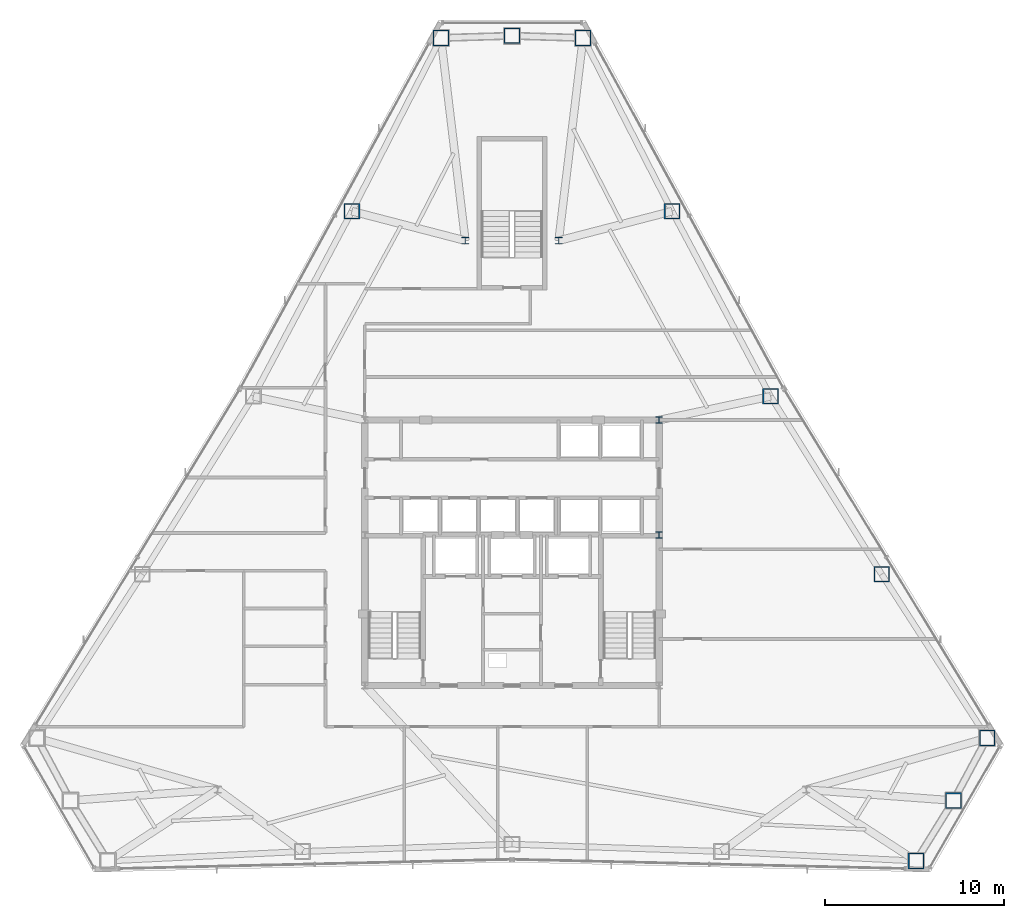
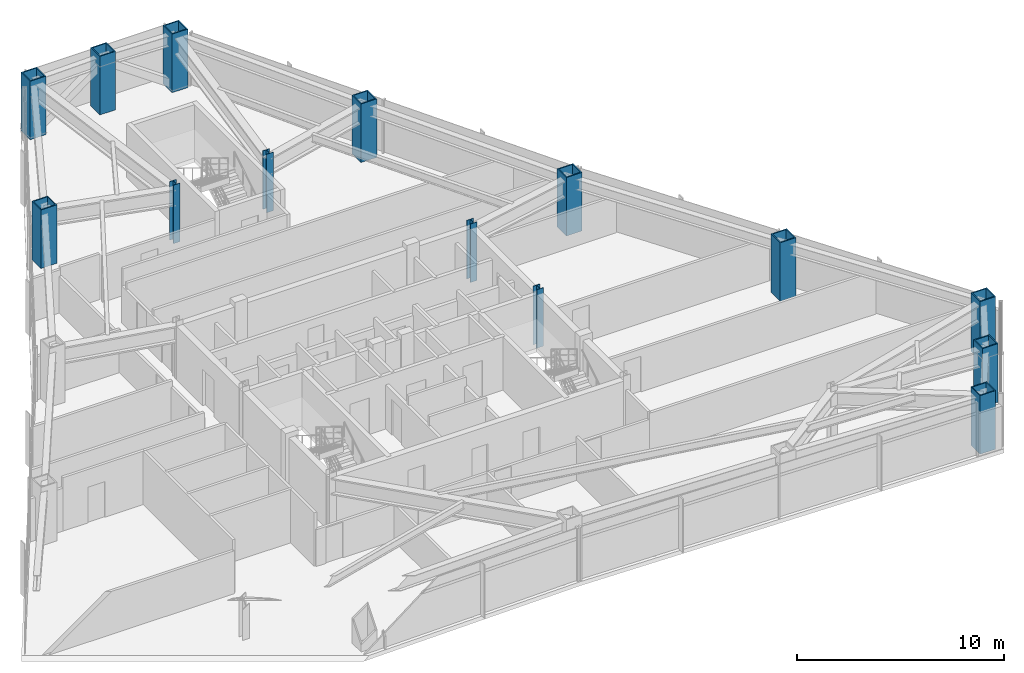
# One storey, part 2 of 12: 14 columns.
"""IFC4 building model written with IfcOpenShell, lengths in metres."""

from ifc_helpers import new_model, si_unit, direction, frame, origin, origin_2d, place, context, subcontext, project, spatial, hollow_rectangle, i_section, extrude, material, material_profile, profile_set, type_object, element, save


model = new_model("IFC4")

# Units and contexts
model_context = context("Model", 3, precision=1e-05, world=origin(), true_north=direction((0.0, 1.0)))
body_context = subcontext(model_context, "Body", "Model", "MODEL_VIEW")
ifc_project = project(units=[si_unit("LENGTHUNIT", "METRE"), si_unit("AREAUNIT", "SQUARE_METRE"), si_unit("VOLUMEUNIT", "CUBIC_METRE"), si_unit("PLANEANGLEUNIT", "RADIAN"), si_unit("MASSUNIT", "GRAM", prefix="KILO")], contexts=[model_context])

# Site, building, storey
site_placement = place(None, origin())
site = spatial("IfcSite", under=ifc_project, at=site_placement, CompositionType="ELEMENT")
building_placement = place(site_placement, origin())
building = spatial("IfcBuilding", under=site, at=building_placement, Name="Varakhsha Concourse Tower", CompositionType="ELEMENT")
storey_placement = place(building_placement, frame((0.0, 0.0, 153.949951171875)))
storey = spatial("IfcBuildingStorey", under=building, at=storey_placement, Name="L44", CompositionType="ELEMENT", Elevation=153.949951171875)

# Columns
ifc_material_1 = material(Name="Structural Steel ASTM A992 Grade 50", Category="steel")
ifc_material_profile_1 = material_profile(ifc_material_1, i_section(OverallWidth=0.3740234375, OverallDepth=0.3720703125, WebThickness=0.01611328125, FlangeThickness=0.02587890625, at=origin_2d()), Name="W14X132")
ifc_profile_set_1 = profile_set([ifc_material_profile_1], Name="Structural Steel ASTM A992 Grade 50")
column_type_1 = type_object("IfcColumnType", Name="CL-CORE-W14X132", PredefinedType="COLUMN", material=ifc_profile_set_1)
for number, where, z_axis, x_axis, name in (
    (1, (48.199951171875, 24.800048828125, 0.0), (0.0, 0.0, 1.0), (1.0, 0.0, 0.0), "L44 Core Column CC-ME"),
    (2, (48.199951171875, 31.199951171875, 0.0), (0.0, 0.0, 1.0), (1.0, 0.0, 0.0), "L44 Core Column CC-NE"),
    (3, (37.39990234375, 41.199951171875, 0.0), (0.0, 0.0, 1.0), (1.0, 0.0, 0.0), "L44 Core Column NS-W"),
    (4, (42.60009765625, 41.199951171875, 0.0), (0.0, 0.0, 1.0), (1.0, 0.0, 0.0), "L44 Core Column NS-E"),
):
    element("IfcColumn", number, at=place(storey_placement, frame(where, z_axis=z_axis, x_axis=x_axis)), inside=storey, type_object=column_type_1, Name=name, PredefinedType="COLUMN", context=body_context, shape_type="SweptSolid", body=[
        extrude(i_section(OverallWidth=0.3740234375, OverallDepth=0.3720703125, WebThickness=0.01611328125, FlangeThickness=0.02587890625, at=origin_2d()), origin(), (0.0, 0.0, 1.0), 3.449951171875),
    ])
ifc_material_2 = material(Name="Structural Steel ASTM A572 Grade 50", Category="steel")
ifc_material_profile_2 = material_profile(ifc_material_2, hollow_rectangle(XDim=0.8798828125, YDim=0.8798828125, WallThickness=0.06005859375, at=origin_2d()), Name="BOX 880x880x60")
ifc_profile_set_2 = profile_set([ifc_material_profile_2], Name="Structural Steel ASTM A572 Grade 50")
column_type_2 = type_object("IfcColumnType", Name="CL-TUBE-880", PredefinedType="COLUMN", material=ifc_profile_set_2)
for number, where, z_axis, x_axis, name in (
    (5, (43.959716796875, 52.496337890625, 0.0), (0.0, 0.0, 1.0), (1.0, 0.0, 0.0), "L44 Framed-Tube Column TC01"),
    (6, (40.0, 52.61865234375, 0.0), (0.0, 0.0, 1.0), (1.0, 0.0, 0.0), "L44 Framed-Tube Column TC02"),
    (7, (36.040283203125, 52.496337890625, 0.0), (0.0, 0.0, 1.0), (1.0, 0.0, 0.0), "L44 Framed-Tube Column TC03"),
    (8, (31.077880859375, 42.8408203125, 0.0), (0.0, 0.0, 1.0), (1.0, 0.0, 0.0), "L44 Framed-Tube Column TC04"),
    (9, (62.525390625, 6.62255859375, 0.0), (0.0, 0.0, 1.0), (1.0, 0.0, 0.0), "L44 Framed-Tube Column TC13"),
    (10, (64.611083984375, 9.99072265625, 0.0), (0.0, 0.0, 1.0), (1.0, 0.0, 0.0), "L44 Framed-Tube Column TC14"),
    (11, (66.485107421875, 13.481201171875, 0.0), (0.0, 0.0, 1.0), (1.0, 0.0, 0.0), "L44 Framed-Tube Column TC15"),
    (12, (60.6044921875, 22.6064453125, 0.0), (0.0, 0.0, 1.0), (1.0, 0.0, 0.0), "L44 Framed-Tube Column TC16"),
    (13, (54.412353515625, 32.52099609375, 0.0), (0.0, 0.0, 1.0), (1.0, 0.0, 0.0), "L44 Framed-Tube Column TC17"),
    (14, (48.922119140625, 42.8408203125, 0.0), (0.0, 0.0, 1.0), (1.0, 0.0, 0.0), "L44 Framed-Tube Column TC18"),
):
    element("IfcColumn", number, at=place(storey_placement, frame(where, z_axis=z_axis, x_axis=x_axis)), inside=storey, type_object=column_type_2, Name=name, PredefinedType="COLUMN", context=body_context, shape_type="SweptSolid", body=[
        extrude(hollow_rectangle(XDim=0.8798828125, YDim=0.8798828125, WallThickness=0.06005859375, at=origin_2d()), origin(), (0.0, 0.0, 1.0), 3.449951171875),
    ])

save(model, "model.ifc")
